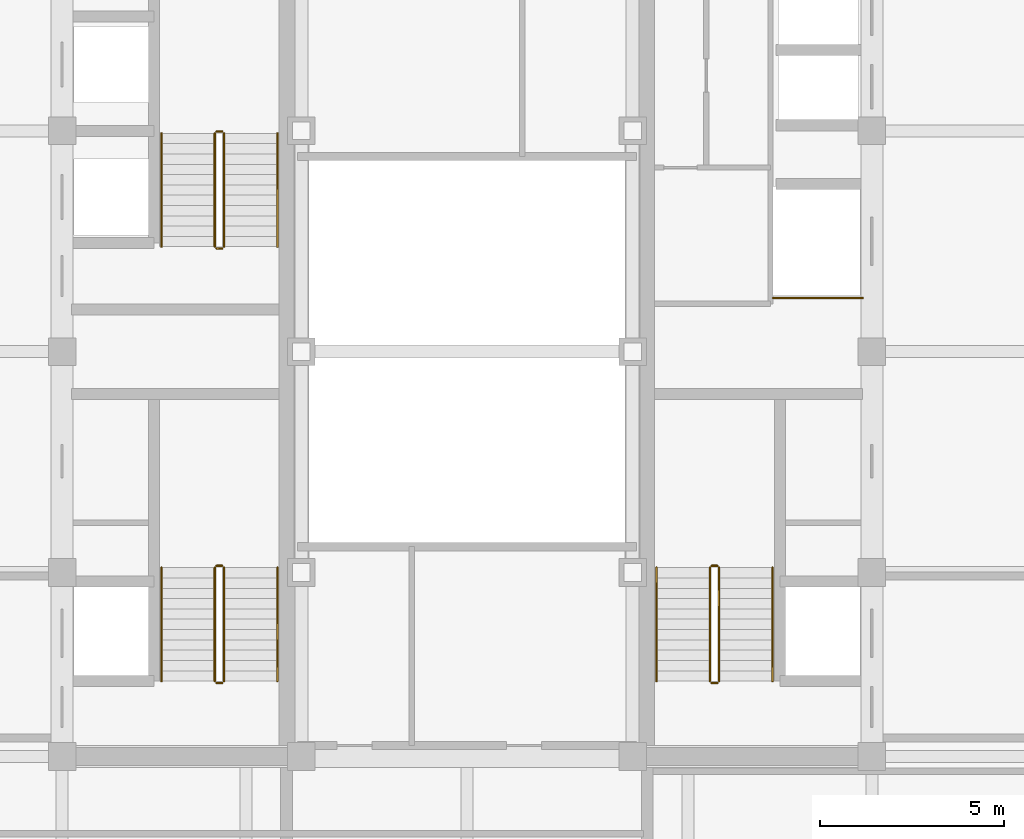
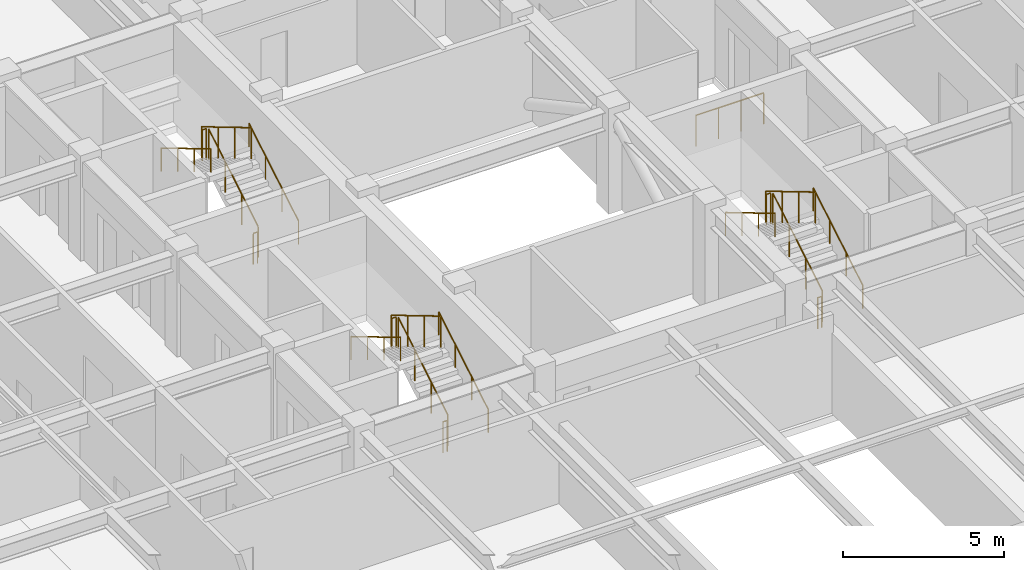
# One storey, part 29 of 29: 19 railings.
"""IFC4 building model written with IfcOpenShell, lengths in metres."""

from ifc_helpers import new_model, si_unit, direction, frame, origin, origin_2d, place, context, subcontext, project, spatial, circle, extrude, source, transform, mapped, material, type_object, element, save


model = new_model("IFC4")

# Units and contexts
model_context = context("Model", 3, precision=1e-05, world=origin(), true_north=direction((0.0, 1.0)))
body_context = subcontext(model_context, "Body", "Model", "MODEL_VIEW")
ifc_project = project(units=[si_unit("LENGTHUNIT", "METRE"), si_unit("AREAUNIT", "SQUARE_METRE"), si_unit("VOLUMEUNIT", "CUBIC_METRE"), si_unit("PLANEANGLEUNIT", "RADIAN"), si_unit("MASSUNIT", "GRAM", prefix="KILO")], contexts=[model_context])

# Site, building, storey
site_placement = place(None, origin())
site = spatial("IfcSite", under=ifc_project, at=site_placement, CompositionType="ELEMENT")
building_placement = place(site_placement, origin())
building = spatial("IfcBuilding", under=site, at=building_placement, Name="Khorayat Bourse Tower", CompositionType="ELEMENT")
storey_placement = place(building_placement, frame((0.0, 0.0, 354.300048828125)))
storey = spatial("IfcBuildingStorey", under=building, at=storey_placement, Name="L84", CompositionType="ELEMENT", Elevation=354.300048828125)

# Railings
ifc_material_1 = material(Name="Powder-coated steel balustrade", Category="steel")
railing_type_1 = type_object("IfcRailingType", Name="RLG-GUARD-1200", PredefinedType="GUARDRAIL", material=ifc_material_1)
shared_shape_1 = source(origin(), body_context, "Body", "SweptSolid", [
    extrude(circle(Radius=0.02392578125, at=origin_2d()), frame((0.0, 0.0, 1.17578125), z_axis=(-1.0, 0.0, 0.0), x_axis=(0.0, -1.0, 0.0)), (0.0, 0.0, 1.0), 0.150146484375),
    extrude(circle(Radius=0.02099609375, at=origin_2d()), origin(), (0.0, 0.0, 1.0), 1.15185546875),
    extrude(circle(Radius=0.02099609375, at=origin_2d()), frame((-0.150146484375, 0.0, 0.0)), (0.0, 0.0, 1.0), 1.15185546875),
])
for number, where, name in (
    (1, (-6.64990234375, -5.820068359375, 2.0), "L84 ST-1 stair guard 2"),
    (2, (-6.64990234375, -9.0, 0.0), "L84 ST-1 stair guard 4"),
    (3, (-6.64990234375, 5.97998046875, 2.0), "L84 ST-2 stair guard 2"),
    (4, (-6.64990234375, 2.800048828125, 0.0), "L84 ST-2 stair guard 4"),
    (5, (6.800048828125, -5.820068359375, 2.0), "L84 ST-3 stair guard 2"),
    (6, (6.800048828125, -9.0, 0.0), "L84 ST-3 stair guard 4"),
):
    element("IfcRailing", number, at=place(storey_placement, frame(where)), inside=storey, type_object=railing_type_1, Name=name, PredefinedType="GUARDRAIL", context=body_context, shape_type="MappedRepresentation", body=[
        mapped(shared_shape_1, transform((0.0, 0.0, 0.0), scale=1.0)),
    ])
shared_shape_2 = source(origin(), body_context, "Body", "SweptSolid", [
    extrude(circle(Radius=0.02392578125, at=origin_2d()), frame((0.0, 0.0, 1.17578125), z_axis=(0.0, 0.859260807169, 0.511537745687), x_axis=(-1.0, 0.0, 0.0)), (0.0, 0.0, 1.0), 3.584228515625),
    extrude(circle(Radius=0.02099609375, at=origin_2d()), origin(), (0.0, 0.0, 1.0), 1.15185546875),
    extrude(circle(Radius=0.02099609375, at=origin_2d()), frame((0.0, 1.026611328125, 0.611083984375)), (0.0, 0.0, 1.0), 1.15185546875),
    extrude(circle(Radius=0.02099609375, at=origin_2d()), frame((0.0, 2.05322265625, 1.222412109375)), (0.0, 0.0, 1.0), 1.15185546875),
    extrude(circle(Radius=0.02099609375, at=origin_2d()), frame((0.0, 3.079833984375, 1.83349609375)), (0.0, 0.0, 1.0), 1.15185546875),
])
for number, where, name in (
    (7, (-6.60009765625, -8.949951171875, 0.16650390625), "L84 ST-1 stair guard 1"),
    (8, (-6.60009765625, 2.85009765625, 0.16650390625), "L84 ST-2 stair guard 1"),
    (9, (6.85009765625, -8.949951171875, 0.16650390625), "L84 ST-3 stair guard 1"),
):
    element("IfcRailing", number, at=place(storey_placement, frame(where)), inside=storey, type_object=railing_type_1, Name=name, PredefinedType="GUARDRAIL", context=body_context, shape_type="MappedRepresentation", body=[
        mapped(shared_shape_2, transform((0.0, 0.0, 0.0), scale=1.0)),
    ])
shared_shape_3 = source(origin(), body_context, "Body", "SweptSolid", [
    extrude(circle(Radius=0.02392578125, at=origin_2d()), frame((0.0, 0.0, 1.17578125), z_axis=(0.0, -0.859260807169, 0.511537745687), x_axis=(1.0, 0.0, 0.0)), (0.0, 0.0, 1.0), 3.584228515625),
    extrude(circle(Radius=0.02099609375, at=origin_2d()), origin(), (0.0, 0.0, 1.0), 1.15185546875),
    extrude(circle(Radius=0.02099609375, at=origin_2d()), frame((0.0, -1.026611328125, 0.611083984375)), (0.0, 0.0, 1.0), 1.15185546875),
    extrude(circle(Radius=0.02099609375, at=origin_2d()), frame((0.0, -2.05322265625, 1.222412109375)), (0.0, 0.0, 1.0), 1.15185546875),
    extrude(circle(Radius=0.02099609375, at=origin_2d()), frame((0.0, -3.079833984375, 1.83349609375)), (0.0, 0.0, 1.0), 1.15185546875),
])
for number, where, name in (
    (10, (-6.85009765625, -5.8701171875, 2.16650390625), "L84 ST-1 stair guard 3"),
    (11, (-6.85009765625, 5.929931640625, 2.16650390625), "L84 ST-2 stair guard 3"),
    (12, (6.60009765625, -5.8701171875, 2.16650390625), "L84 ST-3 stair guard 3"),
):
    element("IfcRailing", number, at=place(storey_placement, frame(where)), inside=storey, type_object=railing_type_1, Name=name, PredefinedType="GUARDRAIL", context=body_context, shape_type="MappedRepresentation", body=[
        mapped(shared_shape_3, transform((0.0, 0.0, 0.0), scale=1.0)),
    ])
ifc_material_2 = material(Name="Brushed bronze stainless-steel handrail", Category="steel")
railing_type_2 = type_object("IfcRailingType", Name="RLG-HAND-900", PredefinedType="HANDRAIL", material=ifc_material_2)
shared_shape_4 = source(origin(), body_context, "Body", "SweptSolid", [
    extrude(circle(Radius=0.02392578125, at=origin_2d()), frame((0.0, 0.0, 0.8759765625), z_axis=(0.0, 0.859260807169, 0.511537745687), x_axis=(-1.0, 0.0, 0.0)), (0.0, 0.0, 1.0), 3.584228515625),
    extrude(circle(Radius=0.02099609375, at=origin_2d()), origin(), (0.0, 0.0, 1.0), 0.851806640625),
    extrude(circle(Radius=0.02099609375, at=origin_2d()), frame((0.0, 1.026611328125, 0.611083984375)), (0.0, 0.0, 1.0), 0.851806640625),
    extrude(circle(Radius=0.02099609375, at=origin_2d()), frame((0.0, 2.05322265625, 1.222412109375)), (0.0, 0.0, 1.0), 0.851806640625),
    extrude(circle(Radius=0.02099609375, at=origin_2d()), frame((0.0, 3.079833984375, 1.83349609375)), (0.0, 0.0, 1.0), 0.851806640625),
])
for number, where, name in (
    (13, (-5.14990234375, -8.949951171875, 0.16650390625), "L84 ST-1 stair handrail 1"),
    (14, (-5.14990234375, 2.85009765625, 0.16650390625), "L84 ST-2 stair handrail 1"),
    (15, (8.300048828125, -8.949951171875, 0.16650390625), "L84 ST-3 stair handrail 1"),
):
    element("IfcRailing", number, at=place(storey_placement, frame(where)), inside=storey, type_object=railing_type_2, Name=name, PredefinedType="HANDRAIL", context=body_context, shape_type="MappedRepresentation", body=[
        mapped(shared_shape_4, transform((0.0, 0.0, 0.0), scale=1.0)),
    ])
shared_shape_5 = source(origin(), body_context, "Body", "SweptSolid", [
    extrude(circle(Radius=0.02392578125, at=origin_2d()), frame((0.0, 0.0, 0.8759765625), z_axis=(0.0, -0.859260807169, 0.511537745687), x_axis=(1.0, 0.0, 0.0)), (0.0, 0.0, 1.0), 3.584228515625),
    extrude(circle(Radius=0.02099609375, at=origin_2d()), origin(), (0.0, 0.0, 1.0), 0.851806640625),
    extrude(circle(Radius=0.02099609375, at=origin_2d()), frame((0.0, -1.026611328125, 0.611083984375)), (0.0, 0.0, 1.0), 0.851806640625),
    extrude(circle(Radius=0.02099609375, at=origin_2d()), frame((0.0, -2.05322265625, 1.222412109375)), (0.0, 0.0, 1.0), 0.851806640625),
    extrude(circle(Radius=0.02099609375, at=origin_2d()), frame((0.0, -3.079833984375, 1.83349609375)), (0.0, 0.0, 1.0), 0.851806640625),
])
for number, where, name in (
    (16, (-8.300048828125, -5.8701171875, 2.16650390625), "L84 ST-1 stair handrail 2"),
    (17, (-8.300048828125, 5.929931640625, 2.16650390625), "L84 ST-2 stair handrail 2"),
    (18, (5.14990234375, -5.8701171875, 2.16650390625), "L84 ST-3 stair handrail 2"),
):
    element("IfcRailing", number, at=place(storey_placement, frame(where)), inside=storey, type_object=railing_type_2, Name=name, PredefinedType="HANDRAIL", context=body_context, shape_type="MappedRepresentation", body=[
        mapped(shared_shape_5, transform((0.0, 0.0, 0.0), scale=1.0)),
    ])
shared_shape_6 = source(origin(), body_context, "Body", "SweptSolid", [
    extrude(circle(Radius=0.02392578125, at=origin_2d()), frame((0.0, 0.0, 1.17578125), z_axis=(1.0, 0.0, 0.0), x_axis=(0.0, 1.0, 0.0)), (0.0, 0.0, 1.0), 2.429931640625),
    extrude(circle(Radius=0.02099609375, at=origin_2d()), origin(), (0.0, 0.0, 1.0), 1.15185546875),
    extrude(circle(Radius=0.02099609375, at=origin_2d()), frame((0.81005859375, 0.0, 0.0)), (0.0, 0.0, 1.0), 1.15185546875),
    extrude(circle(Radius=0.02099609375, at=origin_2d()), frame((1.619873046875, 0.0, 0.0)), (0.0, 0.0, 1.0), 1.15185546875),
    extrude(circle(Radius=0.02099609375, at=origin_2d()), frame((2.429931640625, 0.0, 0.0)), (0.0, 0.0, 1.0), 1.15185546875),
])
railing_placement = place(storey_placement, frame((8.320068359375, 1.4599609375, 0.0)))
element("IfcRailing", 19, at=railing_placement, inside=storey, type_object=railing_type_1, Name="L84 Goods Shaft Opening Guardrail", PredefinedType="GUARDRAIL", context=body_context, shape_type="MappedRepresentation", body=[
    mapped(shared_shape_6, transform((0.0, 0.0, 0.0), scale=1.0)),
])

save(model, "model.ifc")
